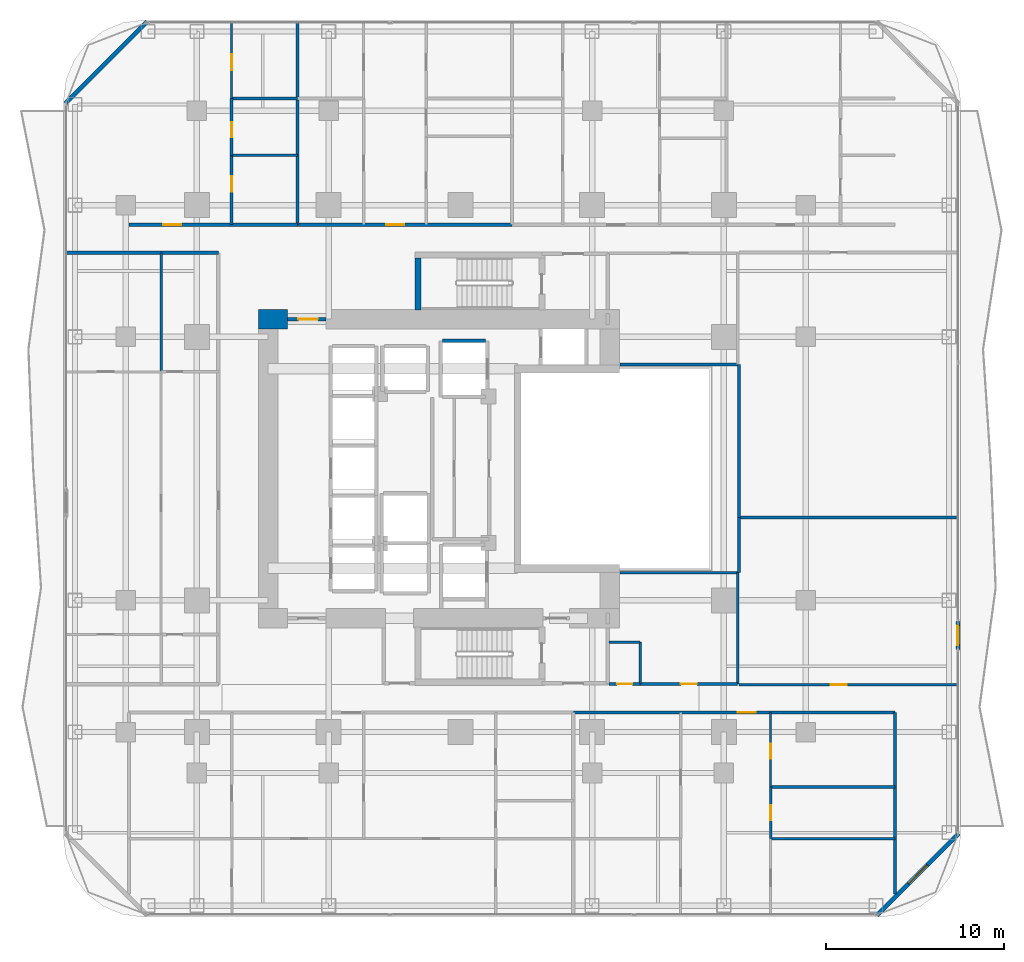
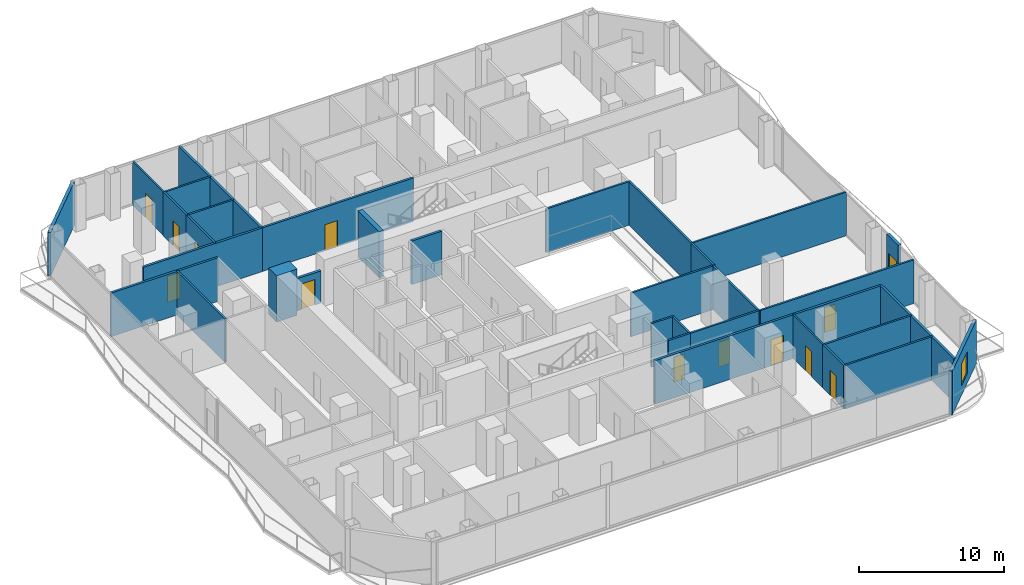
# One storey, part 22 of 27: 34 walls, 13 doors, 1 window, 14 openings.
"""IFC4 building model written with IfcOpenShell, lengths in metres."""

from ifc_helpers import new_model, si_unit, direction, frame, frame_2d, origin, place, context, subcontext, project, spatial, rectangle, extrude, material, layer, layer_set, type_object, element, fill, save


model = new_model("IFC4")

# Units and contexts
model_context = context("Model", 3, precision=1e-05, world=origin(), true_north=direction((0.0, 1.0)))
body_context = subcontext(model_context, "Body", "Model", "MODEL_VIEW")
ifc_project = project(units=[si_unit("LENGTHUNIT", "METRE"), si_unit("AREAUNIT", "SQUARE_METRE"), si_unit("VOLUMEUNIT", "CUBIC_METRE"), si_unit("PLANEANGLEUNIT", "RADIAN"), si_unit("MASSUNIT", "GRAM", prefix="KILO")], contexts=[model_context])

# Site, building, storey
site_placement = place(None, origin())
site = spatial("IfcSite", under=ifc_project, at=site_placement, CompositionType="ELEMENT")
building_placement = place(site_placement, origin())
building = spatial("IfcBuilding", under=site, at=building_placement, Name="Khorvyn Point Tower", CompositionType="ELEMENT")
storey_placement = place(building_placement, frame((0.0, 0.0, 42.300048828125)))
storey = spatial("IfcBuildingStorey", under=building, at=storey_placement, Name="L11", CompositionType="ELEMENT", Elevation=42.300048828125)

# Wall, opening, door
ifc_material_1 = material(Name="Double acoustic gypsum on twin steel stud", Category="steel")
ifc_layer_1 = layer(ifc_material_1, 0.179931640625)
ifc_layer_set_1 = layer_set([ifc_layer_1], Name="Acoustic Double-Stud Apartment Demising Wall 180")
wall_type_1 = type_object("IfcWallType", Name="Acoustic Double-Stud Apartment Demising Wall 180", PredefinedType="PARTITIONING", material=ifc_layer_set_1)
wall_1_placement = place(storey_placement, frame((-18.6201171875, 13.699951171875, 0.0), z_axis=(0.0, 0.0, 1.0), x_axis=(1.0, 0.0, 0.0)))
wall_1 = element("IfcWall", 1, at=wall_1_placement, inside=storey, type_object=wall_type_1, Name="Wall", PredefinedType="PARTITIONING", context=body_context, shape_type="SweptSolid", body=[
    extrude(rectangle(XDim=9.46923828125, YDim=0.179931640625, at=frame_2d((4.734619140625, 0.0))), origin(), (0.0, 0.0, 1.0), 3.679931640625),
])
opening_1_placement = place(wall_1_placement, frame((1.931396484375, 0.0, 0.0)))
opening_1 = element("IfcOpeningElement", 2, at=opening_1_placement, cuts=wall_1, Name="Opening ID-AP60", PredefinedType="OPENING", context=body_context, shape_type="SweptSolid", body=[
    extrude(rectangle(XDim=1.0, YDim=2.199951171875, at=frame_2d((0.5, 1.10009765625))), frame((0.0, 0.099853515625, 0.0), z_axis=(0.0, -1.0, 0.0), x_axis=(1.0, 0.0, 0.0)), (0.0, 0.0, 1.0), 0.199951171875),
])
ifc_material_2 = material(Name="Engineered hardwood fire-rated leaf", Category="wood")
door_type_1 = type_object("IfcDoorType", Name="Acoustic Solid-Core Timber Apartment Entrance Door 1000x2200", OperationType="NOTDEFINED", PredefinedType="DOOR", material=ifc_material_2)
door_1_placement = place(opening_1_placement, origin())
door_1 = element("IfcDoor", 3, at=door_1_placement, inside=storey, type_object=door_type_1, Name="Door", OperationType="SINGLE_SWING_LEFT", OverallHeight=2.199951171875, OverallWidth=1.0, PredefinedType="DOOR", context=body_context, shape_type="SweptSolid", body=[
    extrude(rectangle(XDim=1.0, YDim=2.199951171875, at=frame_2d((0.5, 1.10009765625))), frame((0.0, 0.02490234375, 0.0), z_axis=(0.0, -1.0, 0.0), x_axis=(1.0, 0.0, 0.0)), (0.0, 0.0, 1.0), 0.050048828125),
])
fill(opening_1, door_1)

wall_2_placement = place(storey_placement, frame((-9.15087890625, 13.699951171875, 0.0), z_axis=(0.0, 0.0, 1.0), x_axis=(1.0, 0.0, 0.0)))
wall_2 = element("IfcWall", 4, at=wall_2_placement, inside=storey, type_object=wall_type_1, Name="Wall", PredefinedType="PARTITIONING", context=body_context, shape_type="SweptSolid", body=[
    extrude(rectangle(XDim=12.05078125, YDim=0.179931640625, at=frame_2d((6.025390625, 0.0))), origin(), (0.0, 0.0, 1.0), 3.679931640625),
])
opening_2_placement = place(wall_2_placement, frame((4.989013671875, 0.0, 0.0)))
opening_2 = element("IfcOpeningElement", 5, at=opening_2_placement, cuts=wall_2, Name="Opening ID-AP60", PredefinedType="OPENING", context=body_context, shape_type="SweptSolid", body=[
    extrude(rectangle(XDim=1.0, YDim=2.199951171875, at=frame_2d((0.5, 1.10009765625))), frame((0.0, 0.099853515625, 0.0), z_axis=(0.0, -1.0, 0.0), x_axis=(1.0, 0.0, 0.0)), (0.0, 0.0, 1.0), 0.199951171875),
])
door_2_placement = place(opening_2_placement, origin())
door_2 = element("IfcDoor", 6, at=door_2_placement, inside=storey, type_object=door_type_1, Name="Door", OperationType="SINGLE_SWING_LEFT", OverallHeight=2.199951171875, OverallWidth=1.0, PredefinedType="DOOR", context=body_context, shape_type="SweptSolid", body=[
    extrude(rectangle(XDim=1.0, YDim=2.199951171875, at=frame_2d((0.5, 1.10009765625))), frame((0.0, 0.02490234375, 0.0), z_axis=(0.0, -1.0, 0.0), x_axis=(1.0, 0.0, 0.0)), (0.0, 0.0, 1.0), 0.050048828125),
])
fill(opening_2, door_2)

wall_3_placement = place(storey_placement, frame((6.343017578125, -13.699951171875, 0.0), z_axis=(0.0, 0.0, 1.0), x_axis=(1.0, 0.0, 0.0)))
wall_3 = element("IfcWall", 7, at=wall_3_placement, inside=storey, type_object=wall_type_1, Name="Wall", PredefinedType="PARTITIONING", context=body_context, shape_type="SweptSolid", body=[
    extrude(rectangle(XDim=18.076904296875, YDim=0.179931640625, at=frame_2d((9.03857421875, 0.0))), origin(), (0.0, 0.0, 1.0), 3.679931640625),
])
opening_3_placement = place(wall_3_placement, frame((9.251708984375, 0.0, 0.0)))
opening_3 = element("IfcOpeningElement", 8, at=opening_3_placement, cuts=wall_3, Name="Opening ID-AP60", PredefinedType="OPENING", context=body_context, shape_type="SweptSolid", body=[
    extrude(rectangle(XDim=1.0, YDim=2.199951171875, at=frame_2d((0.5, 1.10009765625))), frame((0.0, 0.099853515625, 0.0), z_axis=(0.0, -1.0, 0.0), x_axis=(1.0, 0.0, 0.0)), (0.0, 0.0, 1.0), 0.199951171875),
])
door_3_placement = place(opening_3_placement, origin())
door_3 = element("IfcDoor", 9, at=door_3_placement, inside=storey, type_object=door_type_1, Name="Door", OperationType="SINGLE_SWING_RIGHT", OverallHeight=2.199951171875, OverallWidth=1.0, PredefinedType="DOOR", context=body_context, shape_type="SweptSolid", body=[
    extrude(rectangle(XDim=1.0, YDim=2.199951171875, at=frame_2d((0.5, 1.10009765625))), frame((0.0, 0.02490234375, 0.0), z_axis=(0.0, -1.0, 0.0), x_axis=(1.0, 0.0, 0.0)), (0.0, 0.0, 1.0), 0.050048828125),
])
fill(opening_3, door_3)

# Walls
wall_4_placement = place(storey_placement, frame((-9.15087890625, 13.699951171875, 0.0), z_axis=(0.0, 0.0, 1.0), x_axis=(0.0, 1.0, 0.0)))
element("IfcWall", 10, at=wall_4_placement, inside=storey, type_object=wall_type_1, Name="Wall", PredefinedType="PARTITIONING", context=body_context, shape_type="SweptSolid", body=[
    extrude(rectangle(XDim=11.330078125, YDim=0.179931640625, at=frame_2d((5.6650390625, 0.0))), origin(), (0.0, 0.0, 1.0), 3.679931640625),
])
wall_5_placement = place(storey_placement, frame((24.419921875, -23.909912109375, 0.0), z_axis=(0.0, 0.0, 1.0), x_axis=(0.0, 1.0, 0.0)))
element("IfcWall", 11, at=wall_5_placement, inside=storey, type_object=wall_type_1, Name="Wall", PredefinedType="PARTITIONING", context=body_context, shape_type="SweptSolid", body=[
    extrude(rectangle(XDim=10.2099609375, YDim=0.179931640625, at=frame_2d((5.10498046875, 0.0))), origin(), (0.0, 0.0, 1.0), 3.679931640625),
])
wall_6_placement = place(storey_placement, frame((-22.1298828125, 12.1201171875, 0.0), z_axis=(0.0, 0.0, 1.0), x_axis=(1.0, 0.0, 0.0)))
element("IfcWall", 12, at=wall_6_placement, inside=storey, type_object=wall_type_1, Name="Wall", PredefinedType="PARTITIONING", context=body_context, shape_type="SweptSolid", body=[
    extrude(rectangle(XDim=8.52978515625, YDim=0.179931640625, at=frame_2d((4.264892578125, 0.0))), origin(), (0.0, 0.0, 1.0), 3.679931640625),
])

# Wall, opening, door
ifc_material_3 = material(Name="Pale anodised aluminium rainscreen on steel stud", Category="steel")
ifc_layer_2 = layer(ifc_material_3, 0.239990234375)
ifc_layer_set_2 = layer_set([ifc_layer_2], Name="Anodised Aluminium Insulated Corner Spandrel Wall 240")
wall_type_2 = type_object("IfcWallType", Name="Anodised Aluminium Insulated Corner Spandrel Wall 240", PredefinedType="SOLIDWALL", material=ifc_layer_set_2)
wall_7_placement = place(storey_placement, frame((27.949951171875, -8.576904296875, 0.0), z_axis=(0.0, 0.0, 1.0), x_axis=(0.0, -1.0, 0.0)))
wall_7 = element("IfcWall", 13, at=wall_7_placement, inside=storey, type_object=wall_type_2, Name="L11 East Outdoor Threshold Wall", PredefinedType="SOLIDWALL", context=body_context, shape_type="SweptSolid", body=[
    extrude(rectangle(XDim=1.580078125, YDim=0.239990234375, at=frame_2d((0.7900390625, 0.0))), origin(), (0.0, 0.0, 1.0), 3.679931640625),
])
opening_4_placement = place(wall_7_placement, frame((0.239990234375, 0.0, 0.0)))
opening_4 = element("IfcOpeningElement", 14, at=opening_4_placement, cuts=wall_7, Name="Opening BD-1122", PredefinedType="OPENING", context=body_context, shape_type="SweptSolid", body=[
    extrude(rectangle(XDim=1.10009765625, YDim=2.199951171875, at=frame_2d((0.550048828125, 1.10009765625))), frame((0.0, 0.1298828125, 0.0), z_axis=(0.0, -1.0, 0.0), x_axis=(1.0, 0.0, 0.0)), (0.0, 0.0, 1.0), 0.260009765625),
])
ifc_material_4 = material(Name="Anodised aluminium 6063-T6 and laminated Low-E glass", Category="aluminium")
door_type_2 = type_object("IfcDoorType", Name="Glazed Balcony and Terrace Threshold Door 1100x2200", OperationType="NOTDEFINED", PredefinedType="DOOR", material=ifc_material_4)
door_4_placement = place(opening_4_placement, origin())
door_4 = element("IfcDoor", 15, at=door_4_placement, inside=storey, type_object=door_type_2, Name="L11 East Glazed Balcony Outdoor Door", OperationType="SINGLE_SWING_LEFT", OverallHeight=2.199951171875, OverallWidth=1.10009765625, PredefinedType="DOOR", context=body_context, shape_type="SweptSolid", body=[
    extrude(rectangle(XDim=1.10009765625, YDim=2.199951171875, at=frame_2d((0.550048828125, 1.10009765625))), frame((0.0, 0.02490234375, 0.0), z_axis=(0.0, -1.0, 0.0), x_axis=(1.0, 0.0, 0.0)), (0.0, 0.0, 1.0), 0.050048828125),
])
fill(opening_4, door_4)

# Wall
wall_8_placement = place(storey_placement, frame((-22.1923828125, 20.507568359375, 0.0), z_axis=(0.0, 0.0, 1.0), x_axis=(0.707106781187, 0.707106781187, 0.0)))
element("IfcWall", 16, at=wall_8_placement, inside=storey, type_object=wall_type_2, Name="L11 Rounded Corner Wall NW", PredefinedType="SOLIDWALL", context=body_context, shape_type="SweptSolid", body=[
    extrude(rectangle(XDim=6.48388671875, YDim=0.239990234375, at=frame_2d((3.241943359375, 0.0))), origin(), (0.0, 0.0, 1.0), 3.679931640625),
])

# Wall, opening, window
wall_9_placement = place(storey_placement, frame((27.992431640625, -20.507568359375, 0.0), z_axis=(0.0, 0.0, 1.0), x_axis=(-0.707106781187, -0.707106781187, 0.0)))
wall_9 = element("IfcWall", 17, at=wall_9_placement, inside=storey, type_object=wall_type_2, Name="L11 Rounded Corner Wall SE", PredefinedType="SOLIDWALL", context=body_context, shape_type="SweptSolid", body=[
    extrude(rectangle(XDim=6.48388671875, YDim=0.239990234375, at=frame_2d((3.241943359375, 0.0))), origin(), (0.0, 0.0, 1.0), 3.679931640625),
])
opening_5_placement = place(wall_9_placement, frame((2.491943359375, 0.0, 0.800048828125)))
opening_5 = element("IfcOpeningElement", 18, at=opening_5_placement, cuts=wall_9, Name="Opening WN-1518", PredefinedType="OPENING", context=body_context, shape_type="SweptSolid", body=[
    extrude(rectangle(XDim=1.5, YDim=1.85009765625, at=frame_2d((0.75, 0.925048828125))), frame((0.0, 0.1298828125, 0.0), z_axis=(0.0, -1.0, 0.0), x_axis=(1.0, 0.0, 0.0)), (0.0, 0.0, 1.0), 0.260009765625),
])
window_type = type_object("IfcWindowType", Name="Anodised Aluminium Rounded-Corner Panoramic Window 1500x1850", PartitioningType="SINGLE_PANEL", PredefinedType="WINDOW", material=ifc_material_4)
window_placement = place(opening_5_placement, origin())
window = element("IfcWindow", 19, at=window_placement, inside=storey, type_object=window_type, Name="L11 Corner Panoramic Window SE", OverallHeight=1.85009765625, OverallWidth=1.5, PartitioningType="SINGLE_PANEL", PredefinedType="WINDOW", context=body_context, shape_type="SweptSolid", body=[
    extrude(rectangle(XDim=1.5, YDim=1.85009765625, at=frame_2d((0.75, 0.925048828125))), frame((0.0, 0.030029296875, 0.0), z_axis=(0.0, -1.0, 0.0), x_axis=(1.0, 0.0, 0.0)), (0.0, 0.0, 1.0), 0.06005859375),
])
fill(opening_5, window)

# Wall, opening, door
ifc_material_5 = material(Name="Concrete C40/50", Category="concrete")
ifc_layer_3 = layer(ifc_material_5, 0.199951171875)
ifc_layer_set_3 = layer_set([ifc_layer_3], Name="Concrete C40/50 Fire-Lobby Compartment Wall 200")
wall_type_3 = type_object("IfcWallType", Name="Concrete C40/50 Fire-Lobby Compartment Wall 200", PredefinedType="SOLIDWALL", material=ifc_layer_set_3)
wall_10_placement = place(storey_placement, frame((-9.699951171875, 8.39990234375, 0.0), z_axis=(0.0, 0.0, 1.0), x_axis=(1.0, 0.0, 0.0)))
wall_10 = element("IfcWall", 20, at=wall_10_placement, inside=storey, type_object=wall_type_3, Name="Wall", PredefinedType="SOLIDWALL", context=body_context, shape_type="SweptSolid", body=[
    extrude(rectangle(XDim=2.14990234375, YDim=0.199951171875, at=frame_2d((1.074951171875, 0.0))), origin(), (0.0, 0.0, 1.0), 2.719970703125),
])
opening_6_placement = place(wall_10_placement, frame((0.597900390625, 0.0, 0.0)))
opening_6 = element("IfcOpeningElement", 21, at=opening_6_placement, cuts=wall_10, Name="Opening ID-FL90", PredefinedType="OPENING", context=body_context, shape_type="SweptSolid", body=[
    extrude(rectangle(XDim=1.10009765625, YDim=2.14990234375, at=frame_2d((0.550048828125, 1.074951171875))), frame((0.0, 0.10986328125, 0.0), z_axis=(0.0, -1.0, 0.0), x_axis=(1.0, 0.0, 0.0)), (0.0, 0.0, 1.0), 0.219970703125),
])
ifc_material_6 = material(Name="Galvanised powder-coated steel", Category="steel")
door_type_3 = type_object("IfcDoorType", Name="Fire-Rated Steel Lobby and Stair Door 1100x2150", OperationType="NOTDEFINED", PredefinedType="DOOR", material=ifc_material_6)
door_5_placement = place(opening_6_placement, origin())
door_5 = element("IfcDoor", 22, at=door_5_placement, inside=storey, type_object=door_type_3, Name="Door", OperationType="SINGLE_SWING_RIGHT", OverallHeight=2.14990234375, OverallWidth=1.10009765625, PredefinedType="DOOR", context=body_context, shape_type="SweptSolid", body=[
    extrude(rectangle(XDim=1.10009765625, YDim=2.14990234375, at=frame_2d((0.550048828125, 1.074951171875))), frame((0.0, 0.02490234375, 0.0), z_axis=(0.0, -1.0, 0.0), x_axis=(1.0, 0.0, 0.0)), (0.0, 0.0, 1.0), 0.050048828125),
])
fill(opening_6, door_5)

# Walls
ifc_layer_4 = layer(ifc_material_5, 0.35009765625)
ifc_layer_set_4 = layer_set([ifc_layer_4], Name="Concrete C40/50 Stair Shaft Structural Wall 350")
wall_type_4 = type_object("IfcWallType", Name="Concrete C40/50 Stair Shaft Structural Wall 350", PredefinedType="SHEAR", material=ifc_layer_set_4)
wall_11_placement = place(storey_placement, frame((-2.3798828125, 8.89990234375, 0.0), z_axis=(0.0, 0.0, 1.0), x_axis=(0.0, 1.0, 0.0)))
element("IfcWall", 23, at=wall_11_placement, inside=storey, type_object=wall_type_4, Name="L11 ST-02 West Shaft Wall", PredefinedType="SHEAR", context=body_context, shape_type="SweptSolid", body=[
    extrude(rectangle(XDim=2.925048828125, YDim=0.35009765625, at=frame_2d((1.46240234375, 0.0))), origin(), (0.0, 0.0, 1.0), 3.89990234375),
])
ifc_layer_5 = layer(ifc_material_5, 0.199951171875)
ifc_layer_set_5 = layer_set([ifc_layer_5], Name="Concrete C40/50 Structural Hoistway and Stair Shaft Wall 200")
wall_type_5 = type_object("IfcWallType", Name="Concrete C40/50 Structural Hoistway and Stair Shaft Wall 200", PredefinedType="SHEAR", material=ifc_layer_set_5)
wall_12_placement = place(storey_placement, frame((-1.0, 7.175048828125, 0.0), z_axis=(0.0, 0.0, 1.0), x_axis=(1.0, 0.0, 0.0)))
element("IfcWall", 24, at=wall_12_placement, inside=storey, type_object=wall_type_5, Name="Wall", PredefinedType="SHEAR", context=body_context, shape_type="SweptSolid", body=[
    extrude(rectangle(XDim=2.39990234375, YDim=0.199951171875, at=frame_2d((1.199951171875, 0.0))), origin(), (0.0, 0.0, 1.0), 3.679931640625),
])
ifc_material_7 = material(Name="Concrete C50/60", Category="concrete")
ifc_layer_6 = layer(ifc_material_7, 1.10009765625)
ifc_layer_set_6 = layer_set([ifc_layer_6], Name="Concrete C50/60 Core Shear Wall 1100")
wall_type_6 = type_object("IfcWallType", Name="Concrete C50/60 Core Shear Wall 1100", PredefinedType="SHEAR", material=ifc_layer_set_6)
wall_13_placement = place(storey_placement, frame((-11.35009765625, 8.39990234375, 0.0), z_axis=(0.0, 0.0, 1.0), x_axis=(1.0, 0.0, 0.0)))
element("IfcWall", 25, at=wall_13_placement, inside=storey, type_object=wall_type_6, Name="Wall", PredefinedType="SHEAR", context=body_context, shape_type="SweptSolid", body=[
    extrude(rectangle(XDim=1.650146484375, YDim=1.10009765625, at=frame_2d((0.8251953125, 0.0))), origin(), (0.0, 0.0, 1.0), 3.89990234375),
])

# Wall, opening, door
ifc_material_8 = material(Name="Gypsum plasterboard on steel stud", Category="steel")
ifc_layer_7 = layer(ifc_material_8, 0.1201171875)
ifc_layer_set_7 = layer_set([ifc_layer_7], Name="Gypsum Acoustic Stud Room Partition Wall 120")
wall_type_7 = type_object("IfcWallType", Name="Gypsum Acoustic Stud Room Partition Wall 120", PredefinedType="PARTITIONING", material=ifc_layer_set_7)
wall_14_placement = place(storey_placement, frame((-12.85400390625, 20.7900390625, 0.0), z_axis=(0.0, 0.0, 1.0), x_axis=(0.0, 1.0, 0.0)))
wall_14 = element("IfcWall", 26, at=wall_14_placement, inside=storey, type_object=wall_type_7, Name="Wall", PredefinedType="PARTITIONING", context=body_context, shape_type="SweptSolid", body=[
    extrude(rectangle(XDim=4.239990234375, YDim=0.1201171875, at=frame_2d((2.1201171875, 0.0))), origin(), (0.0, 0.0, 1.0), 3.679931640625),
])
opening_7_placement = place(wall_14_placement, frame((1.581298828125, 0.0, 0.0)))
opening_7 = element("IfcOpeningElement", 27, at=opening_7_placement, cuts=wall_14, Name="Opening ID-RM90", PredefinedType="OPENING", context=body_context, shape_type="SweptSolid", body=[
    extrude(rectangle(XDim=0.89990234375, YDim=2.10009765625, at=frame_2d((0.449951171875, 1.050048828125))), frame((0.0, 0.070068359375, 0.0), z_axis=(0.0, -1.0, 0.0), x_axis=(1.0, 0.0, 0.0)), (0.0, 0.0, 1.0), 0.14013671875),
])
ifc_material_9 = material(Name="Engineered oak veneer timber", Category="wood")
door_type_4 = type_object("IfcDoorType", Name="Flush Engineered Timber Room Door 900x2100", OperationType="NOTDEFINED", PredefinedType="DOOR", material=ifc_material_9)
door_6_placement = place(opening_7_placement, origin())
door_6 = element("IfcDoor", 28, at=door_6_placement, inside=storey, type_object=door_type_4, Name="Door", OperationType="SINGLE_SWING_RIGHT", OverallHeight=2.10009765625, OverallWidth=0.89990234375, PredefinedType="DOOR", context=body_context, shape_type="SweptSolid", body=[
    extrude(rectangle(XDim=0.89990234375, YDim=2.10009765625, at=frame_2d((0.449951171875, 1.050048828125))), frame((0.0, 0.02490234375, 0.0), z_axis=(0.0, -1.0, 0.0), x_axis=(1.0, 0.0, 0.0)), (0.0, 0.0, 1.0), 0.050048828125),
])
fill(opening_7, door_6)

wall_15_placement = place(storey_placement, frame((17.427978515625, -17.883056640625, 0.0), z_axis=(0.0, 0.0, 1.0), x_axis=(0.0, 1.0, 0.0)))
wall_15 = element("IfcWall", 29, at=wall_15_placement, inside=storey, type_object=wall_type_7, Name="Wall", PredefinedType="PARTITIONING", context=body_context, shape_type="SweptSolid", body=[
    extrude(rectangle(XDim=4.18310546875, YDim=0.1201171875, at=frame_2d((2.091552734375, 0.0))), origin(), (0.0, 0.0, 1.0), 3.679931640625),
])
opening_8_placement = place(wall_15_placement, frame((1.577880859375, 0.0, 0.0)))
opening_8 = element("IfcOpeningElement", 30, at=opening_8_placement, cuts=wall_15, Name="Opening ID-WC85", PredefinedType="OPENING", context=body_context, shape_type="SweptSolid", body=[
    extrude(rectangle(XDim=0.85009765625, YDim=2.10009765625, at=frame_2d((0.425048828125, 1.050048828125))), frame((0.0, 0.070068359375, 0.0), z_axis=(0.0, -1.0, 0.0), x_axis=(1.0, 0.0, 0.0)), (0.0, 0.0, 1.0), 0.14013671875),
])
ifc_material_10 = material(Name="High-pressure laminate on moisture-resistant core", Category="wood")
door_type_5 = type_object("IfcDoorType", Name="Moisture-Resistant Accessible Washroom Door 850x2100", OperationType="NOTDEFINED", PredefinedType="DOOR", material=ifc_material_10)
door_7_placement = place(opening_8_placement, origin())
door_7 = element("IfcDoor", 31, at=door_7_placement, inside=storey, type_object=door_type_5, Name="Door", OperationType="SINGLE_SWING_RIGHT", OverallHeight=2.10009765625, OverallWidth=0.85009765625, PredefinedType="DOOR", context=body_context, shape_type="SweptSolid", body=[
    extrude(rectangle(XDim=0.85009765625, YDim=2.10009765625, at=frame_2d((0.425048828125, 1.050048828125))), frame((0.0, 0.02490234375, 0.0), z_axis=(0.0, -1.0, 0.0), x_axis=(1.0, 0.0, 0.0)), (0.0, 0.0, 1.0), 0.050048828125),
])
fill(opening_8, door_7)

ifc_material_11 = material(Name="Moisture-resistant gypsum and cement board", Category="gypsum")
ifc_layer_8 = layer(ifc_material_11, 0.14990234375)
ifc_layer_set_8 = layer_set([ifc_layer_8], Name="Moisture-Resistant Wet-Room Partition Wall 150")
wall_type_8 = type_object("IfcWallType", Name="Moisture-Resistant Wet-Room Partition Wall 150", PredefinedType="PARTITIONING", material=ifc_layer_set_8)
wall_16_placement = place(storey_placement, frame((8.360107421875, -12.10009765625, 0.0), z_axis=(0.0, 0.0, 1.0), x_axis=(1.0, 0.0, 0.0)))
wall_16 = element("IfcWall", 32, at=wall_16_placement, inside=storey, type_object=wall_type_8, Name="Wall", PredefinedType="PARTITIONING", context=body_context, shape_type="SweptSolid", body=[
    extrude(rectangle(XDim=1.739990234375, YDim=0.14990234375, at=frame_2d((0.8701171875, 0.0))), origin(), (0.0, 0.0, 1.0), 3.679931640625),
])
opening_9_placement = place(wall_16_placement, frame((0.445068359375, 0.0, 0.0)))
opening_9 = element("IfcOpeningElement", 33, at=opening_9_placement, cuts=wall_16, Name="Opening ID-WC85", PredefinedType="OPENING", context=body_context, shape_type="SweptSolid", body=[
    extrude(rectangle(XDim=0.85009765625, YDim=2.10009765625, at=frame_2d((0.425048828125, 1.050048828125))), frame((0.0, 0.0849609375, 0.0), z_axis=(0.0, -1.0, 0.0), x_axis=(1.0, 0.0, 0.0)), (0.0, 0.0, 1.0), 0.169921875),
])
door_8_placement = place(opening_9_placement, origin())
door_8 = element("IfcDoor", 34, at=door_8_placement, inside=storey, type_object=door_type_5, Name="Door", OperationType="SINGLE_SWING_RIGHT", OverallHeight=2.10009765625, OverallWidth=0.85009765625, PredefinedType="DOOR", context=body_context, shape_type="SweptSolid", body=[
    extrude(rectangle(XDim=0.85009765625, YDim=2.10009765625, at=frame_2d((0.425048828125, 1.050048828125))), frame((0.0, 0.02490234375, 0.0), z_axis=(0.0, -1.0, 0.0), x_axis=(1.0, 0.0, 0.0)), (0.0, 0.0, 1.0), 0.050048828125),
])
fill(opening_9, door_8)

wall_17_placement = place(storey_placement, frame((10.10009765625, -12.10009765625, 0.0), z_axis=(0.0, 0.0, 1.0), x_axis=(1.0, 0.0, 0.0)))
wall_17 = element("IfcWall", 35, at=wall_17_placement, inside=storey, type_object=wall_type_8, Name="Wall", PredefinedType="PARTITIONING", context=body_context, shape_type="SweptSolid", body=[
    extrude(rectangle(XDim=5.47998046875, YDim=0.14990234375, at=frame_2d((2.739990234375, 0.0))), origin(), (0.0, 0.0, 1.0), 3.679931640625),
])
opening_10_placement = place(wall_17_placement, frame((2.2900390625, 0.0, 0.0)))
opening_10 = element("IfcOpeningElement", 36, at=opening_10_placement, cuts=wall_17, Name="Opening ID-RM90", PredefinedType="OPENING", context=body_context, shape_type="SweptSolid", body=[
    extrude(rectangle(XDim=0.89990234375, YDim=2.10009765625, at=frame_2d((0.449951171875, 1.050048828125))), frame((0.0, 0.0849609375, 0.0), z_axis=(0.0, -1.0, 0.0), x_axis=(1.0, 0.0, 0.0)), (0.0, 0.0, 1.0), 0.169921875),
])
door_9_placement = place(opening_10_placement, origin())
door_9 = element("IfcDoor", 37, at=door_9_placement, inside=storey, type_object=door_type_4, Name="Door", OperationType="SINGLE_SWING_LEFT", OverallHeight=2.10009765625, OverallWidth=0.89990234375, PredefinedType="DOOR", context=body_context, shape_type="SweptSolid", body=[
    extrude(rectangle(XDim=0.89990234375, YDim=2.10009765625, at=frame_2d((0.449951171875, 1.050048828125))), frame((0.0, 0.02490234375, 0.0), z_axis=(0.0, -1.0, 0.0), x_axis=(1.0, 0.0, 0.0)), (0.0, 0.0, 1.0), 0.050048828125),
])
fill(opening_10, door_9)

wall_18_placement = place(storey_placement, frame((-12.85400390625, 13.699951171875, 0.0), z_axis=(0.0, 0.0, 1.0), x_axis=(0.0, 1.0, 0.0)))
wall_18 = element("IfcWall", 38, at=wall_18_placement, inside=storey, type_object=wall_type_8, Name="Wall", PredefinedType="PARTITIONING", context=body_context, shape_type="SweptSolid", body=[
    extrude(rectangle(XDim=3.899169921875, YDim=0.14990234375, at=frame_2d((1.94970703125, 0.0))), origin(), (0.0, 0.0, 1.0), 3.679931640625),
])
opening_11_placement = place(wall_18_placement, frame((1.865478515625, 0.0, 0.0)))
opening_11 = element("IfcOpeningElement", 39, at=opening_11_placement, cuts=wall_18, Name="Opening ID-WC85", PredefinedType="OPENING", context=body_context, shape_type="SweptSolid", body=[
    extrude(rectangle(XDim=0.85009765625, YDim=2.10009765625, at=frame_2d((0.425048828125, 1.050048828125))), frame((0.0, 0.0849609375, 0.0), z_axis=(0.0, -1.0, 0.0), x_axis=(1.0, 0.0, 0.0)), (0.0, 0.0, 1.0), 0.169921875),
])
door_10_placement = place(opening_11_placement, origin())
door_10 = element("IfcDoor", 40, at=door_10_placement, inside=storey, type_object=door_type_5, Name="Door", OperationType="SINGLE_SWING_RIGHT", OverallHeight=2.10009765625, OverallWidth=0.85009765625, PredefinedType="DOOR", context=body_context, shape_type="SweptSolid", body=[
    extrude(rectangle(XDim=0.85009765625, YDim=2.10009765625, at=frame_2d((0.425048828125, 1.050048828125))), frame((0.0, 0.02490234375, 0.0), z_axis=(0.0, -1.0, 0.0), x_axis=(1.0, 0.0, 0.0)), (0.0, 0.0, 1.0), 0.050048828125),
])
fill(opening_11, door_10)

wall_19_placement = place(storey_placement, frame((-12.85400390625, 17.59912109375, 0.0), z_axis=(0.0, 0.0, 1.0), x_axis=(0.0, 1.0, 0.0)))
wall_19 = element("IfcWall", 41, at=wall_19_placement, inside=storey, type_object=wall_type_8, Name="Wall", PredefinedType="PARTITIONING", context=body_context, shape_type="SweptSolid", body=[
    extrude(rectangle(XDim=3.19091796875, YDim=0.14990234375, at=frame_2d((1.595458984375, 0.0))), origin(), (0.0, 0.0, 1.0), 3.679931640625),
])
opening_12_placement = place(wall_19_placement, frame((1.002197265625, 0.0, 0.0)))
opening_12 = element("IfcOpeningElement", 42, at=opening_12_placement, cuts=wall_19, Name="Opening ID-WC85", PredefinedType="OPENING", context=body_context, shape_type="SweptSolid", body=[
    extrude(rectangle(XDim=0.85009765625, YDim=2.10009765625, at=frame_2d((0.425048828125, 1.050048828125))), frame((0.0, 0.0849609375, 0.0), z_axis=(0.0, -1.0, 0.0), x_axis=(1.0, 0.0, 0.0)), (0.0, 0.0, 1.0), 0.169921875),
])
door_11_placement = place(opening_12_placement, origin())
door_11 = element("IfcDoor", 43, at=door_11_placement, inside=storey, type_object=door_type_5, Name="Door", OperationType="SINGLE_SWING_LEFT", OverallHeight=2.10009765625, OverallWidth=0.85009765625, PredefinedType="DOOR", context=body_context, shape_type="SweptSolid", body=[
    extrude(rectangle(XDim=0.85009765625, YDim=2.10009765625, at=frame_2d((0.425048828125, 1.050048828125))), frame((0.0, 0.02490234375, 0.0), z_axis=(0.0, -1.0, 0.0), x_axis=(1.0, 0.0, 0.0)), (0.0, 0.0, 1.0), 0.050048828125),
])
fill(opening_12, door_11)

wall_20_placement = place(storey_placement, frame((17.427978515625, -20.7900390625, 0.0), z_axis=(0.0, 0.0, 1.0), x_axis=(0.0, 1.0, 0.0)))
wall_20 = element("IfcWall", 44, at=wall_20_placement, inside=storey, type_object=wall_type_8, Name="Wall", PredefinedType="PARTITIONING", context=body_context, shape_type="SweptSolid", body=[
    extrude(rectangle(XDim=2.906982421875, YDim=0.14990234375, at=frame_2d((1.45361328125, 0.0))), origin(), (0.0, 0.0, 1.0), 3.679931640625),
])
opening_13_placement = place(wall_20_placement, frame((1.028564453125, 0.0, 0.0)))
opening_13 = element("IfcOpeningElement", 45, at=opening_13_placement, cuts=wall_20, Name="Opening ID-WC85", PredefinedType="OPENING", context=body_context, shape_type="SweptSolid", body=[
    extrude(rectangle(XDim=0.85009765625, YDim=2.10009765625, at=frame_2d((0.425048828125, 1.050048828125))), frame((0.0, 0.0849609375, 0.0), z_axis=(0.0, -1.0, 0.0), x_axis=(1.0, 0.0, 0.0)), (0.0, 0.0, 1.0), 0.169921875),
])
door_12_placement = place(opening_13_placement, origin())
door_12 = element("IfcDoor", 46, at=door_12_placement, inside=storey, type_object=door_type_5, Name="Door", OperationType="SINGLE_SWING_LEFT", OverallHeight=2.10009765625, OverallWidth=0.85009765625, PredefinedType="DOOR", context=body_context, shape_type="SweptSolid", body=[
    extrude(rectangle(XDim=0.85009765625, YDim=2.10009765625, at=frame_2d((0.425048828125, 1.050048828125))), frame((0.0, 0.02490234375, 0.0), z_axis=(0.0, -1.0, 0.0), x_axis=(1.0, 0.0, 0.0)), (0.0, 0.0, 1.0), 0.050048828125),
])
fill(opening_13, door_12)

wall_21_placement = place(storey_placement, frame((15.64990234375, -12.139892578125, 0.0), z_axis=(0.0, 0.0, 1.0), x_axis=(1.0, 0.0, 0.0)))
wall_21 = element("IfcWall", 47, at=wall_21_placement, inside=storey, type_object=wall_type_8, Name="Wall", PredefinedType="PARTITIONING", context=body_context, shape_type="SweptSolid", body=[
    extrude(rectangle(XDim=12.27001953125, YDim=0.14990234375, at=frame_2d((6.135009765625, 0.0))), origin(), (0.0, 0.0, 1.0), 3.679931640625),
])
opening_14_placement = place(wall_21_placement, frame((5.150390625, 0.0, 0.0)))
opening_14 = element("IfcOpeningElement", 48, at=opening_14_placement, cuts=wall_21, Name="Opening ID-RM90", PredefinedType="OPENING", context=body_context, shape_type="SweptSolid", body=[
    extrude(rectangle(XDim=0.89990234375, YDim=2.10009765625, at=frame_2d((0.449951171875, 1.050048828125))), frame((0.0, 0.0849609375, 0.0), z_axis=(0.0, -1.0, 0.0), x_axis=(1.0, 0.0, 0.0)), (0.0, 0.0, 1.0), 0.169921875),
])
door_13_placement = place(opening_14_placement, origin())
door_13 = element("IfcDoor", 49, at=door_13_placement, inside=storey, type_object=door_type_4, Name="Door", OperationType="SINGLE_SWING_RIGHT", OverallHeight=2.10009765625, OverallWidth=0.89990234375, PredefinedType="DOOR", context=body_context, shape_type="SweptSolid", body=[
    extrude(rectangle(XDim=0.89990234375, YDim=2.10009765625, at=frame_2d((0.449951171875, 1.050048828125))), frame((0.0, 0.02490234375, 0.0), z_axis=(0.0, -1.0, 0.0), x_axis=(1.0, 0.0, 0.0)), (0.0, 0.0, 1.0), 0.050048828125),
])
fill(opening_14, door_13)

# Walls
wall_22_placement = place(storey_placement, frame((8.360107421875, -9.75, 0.0), z_axis=(0.0, 0.0, 1.0), x_axis=(1.0, 0.0, 0.0)))
element("IfcWall", 50, at=wall_22_placement, inside=storey, type_object=wall_type_8, Name="Wall", PredefinedType="PARTITIONING", context=body_context, shape_type="SweptSolid", body=[
    extrude(rectangle(XDim=1.739990234375, YDim=0.14990234375, at=frame_2d((0.8701171875, 0.0))), origin(), (0.0, 0.0, 1.0), 3.679931640625),
])
wall_23_placement = place(storey_placement, frame((10.10009765625, -12.10009765625, 0.0), z_axis=(0.0, 0.0, 1.0), x_axis=(0.0, 1.0, 0.0)))
element("IfcWall", 51, at=wall_23_placement, inside=storey, type_object=wall_type_8, Name="Wall", PredefinedType="PARTITIONING", context=body_context, shape_type="SweptSolid", body=[
    extrude(rectangle(XDim=2.35009765625, YDim=0.14990234375, at=frame_2d((1.175048828125, 0.0))), origin(), (0.0, 0.0, 1.0), 3.679931640625),
])
wall_24_placement = place(storey_placement, frame((15.580078125, -12.10009765625, 0.0), z_axis=(0.0, 0.0, 1.0), x_axis=(0.0, 1.0, 0.0)))
element("IfcWall", 52, at=wall_24_placement, inside=storey, type_object=wall_type_8, Name="Wall", PredefinedType="PARTITIONING", context=body_context, shape_type="SweptSolid", body=[
    extrude(rectangle(XDim=6.25, YDim=0.14990234375, at=frame_2d((3.125, 0.0))), origin(), (0.0, 0.0, 1.0), 3.679931640625),
])
for number, where, z_axis, x_axis, name in (
    (53, (8.9599609375, -5.85009765625, 0.0), (0.0, 0.0, 1.0), (1.0, 0.0, 0.0), "Wall"),
    (54, (8.9599609375, 5.85009765625, 0.0), (0.0, 0.0, 1.0), (1.0, 0.0, 0.0), "Wall"),
):
    element("IfcWall", number, at=place(storey_placement, frame(where, z_axis=z_axis, x_axis=x_axis)), inside=storey, type_object=wall_type_8, Name=name, PredefinedType="PARTITIONING", context=body_context, shape_type="SweptSolid", body=[
        extrude(rectangle(XDim=6.6201171875, YDim=0.14990234375, at=frame_2d((3.31005859375, 0.0))), origin(), (0.0, 0.0, 1.0), 3.679931640625),
    ])
for number, where, z_axis, x_axis, name in (
    (55, (-12.85400390625, 17.59912109375, 0.0), (0.0, 0.0, 1.0), (1.0, 0.0, 0.0), "Wall"),
    (56, (-12.85400390625, 20.7900390625, 0.0), (0.0, 0.0, 1.0), (1.0, 0.0, 0.0), "Wall"),
):
    element("IfcWall", number, at=place(storey_placement, frame(where, z_axis=z_axis, x_axis=x_axis)), inside=storey, type_object=wall_type_8, Name=name, PredefinedType="PARTITIONING", context=body_context, shape_type="SweptSolid", body=[
        extrude(rectangle(XDim=3.703125, YDim=0.14990234375, at=frame_2d((1.8515625, 0.0))), origin(), (0.0, 0.0, 1.0), 3.679931640625),
    ])
for number, where, z_axis, x_axis, name in (
    (57, (17.427978515625, -17.883056640625, 0.0), (0.0, 0.0, 1.0), (1.0, 0.0, 0.0), "Wall"),
    (58, (17.427978515625, -20.7900390625, 0.0), (0.0, 0.0, 1.0), (1.0, 0.0, 0.0), "Wall"),
):
    element("IfcWall", number, at=place(storey_placement, frame(where, z_axis=z_axis, x_axis=x_axis)), inside=storey, type_object=wall_type_8, Name=name, PredefinedType="PARTITIONING", context=body_context, shape_type="SweptSolid", body=[
        extrude(rectangle(XDim=6.991943359375, YDim=0.14990234375, at=frame_2d((3.49609375, 0.0))), origin(), (0.0, 0.0, 1.0), 3.679931640625),
    ])
wall_25_placement = place(storey_placement, frame((-16.80810546875, 5.43603515625, 0.0), z_axis=(0.0, 0.0, 1.0), x_axis=(0.0, 1.0, 0.0)))
element("IfcWall", 59, at=wall_25_placement, inside=storey, type_object=wall_type_8, Name="Wall", PredefinedType="PARTITIONING", context=body_context, shape_type="SweptSolid", body=[
    extrude(rectangle(XDim=6.68408203125, YDim=0.14990234375, at=frame_2d((3.342041015625, 0.0))), origin(), (0.0, 0.0, 1.0), 3.679931640625),
])
wall_26_placement = place(storey_placement, frame((15.64990234375, -5.85009765625, 0.0), z_axis=(0.0, 0.0, 1.0), x_axis=(0.0, 1.0, 0.0)))
element("IfcWall", 60, at=wall_26_placement, inside=storey, type_object=wall_type_8, Name="Wall", PredefinedType="PARTITIONING", context=body_context, shape_type="SweptSolid", body=[
    extrude(rectangle(XDim=3.10009765625, YDim=0.14990234375, at=frame_2d((1.550048828125, 0.0))), origin(), (0.0, 0.0, 1.0), 3.679931640625),
])
wall_27_placement = place(storey_placement, frame((15.64990234375, -2.75, 0.0), z_axis=(0.0, 0.0, 1.0), x_axis=(0.0, 1.0, 0.0)))
element("IfcWall", 61, at=wall_27_placement, inside=storey, type_object=wall_type_8, Name="Wall", PredefinedType="PARTITIONING", context=body_context, shape_type="SweptSolid", body=[
    extrude(rectangle(XDim=8.60009765625, YDim=0.14990234375, at=frame_2d((4.300048828125, 0.0))), origin(), (0.0, 0.0, 1.0), 3.679931640625),
])
wall_28_placement = place(storey_placement, frame((15.64990234375, -2.75, 0.0), z_axis=(0.0, 0.0, 1.0), x_axis=(1.0, 0.0, 0.0)))
element("IfcWall", 62, at=wall_28_placement, inside=storey, type_object=wall_type_8, Name="Wall", PredefinedType="PARTITIONING", context=body_context, shape_type="SweptSolid", body=[
    extrude(rectangle(XDim=12.280029296875, YDim=0.14990234375, at=frame_2d((6.14013671875, 0.0))), origin(), (0.0, 0.0, 1.0), 3.679931640625),
])

save(model, "model.ifc")
